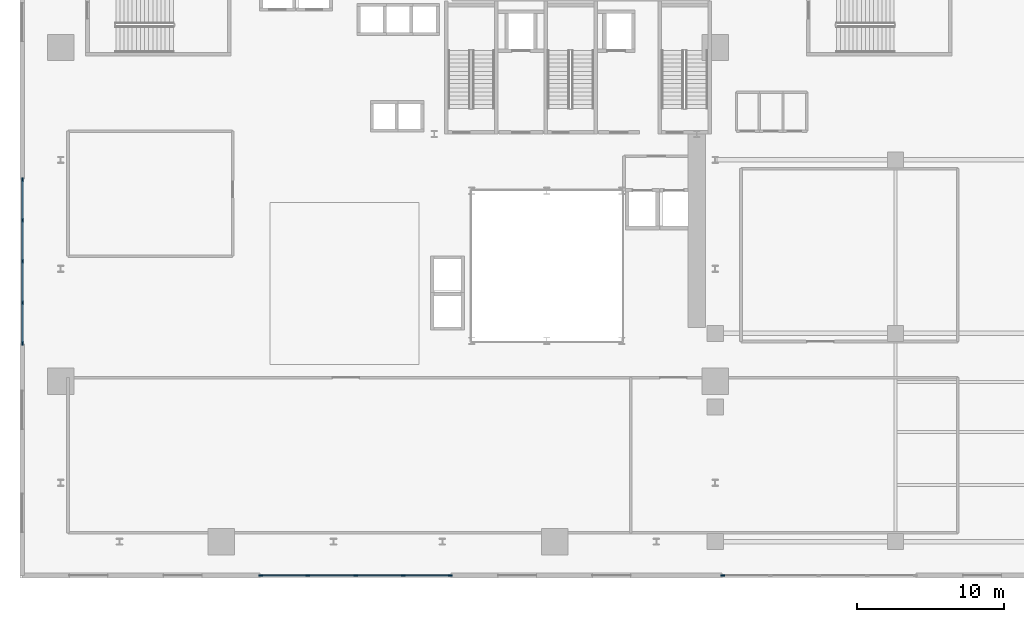
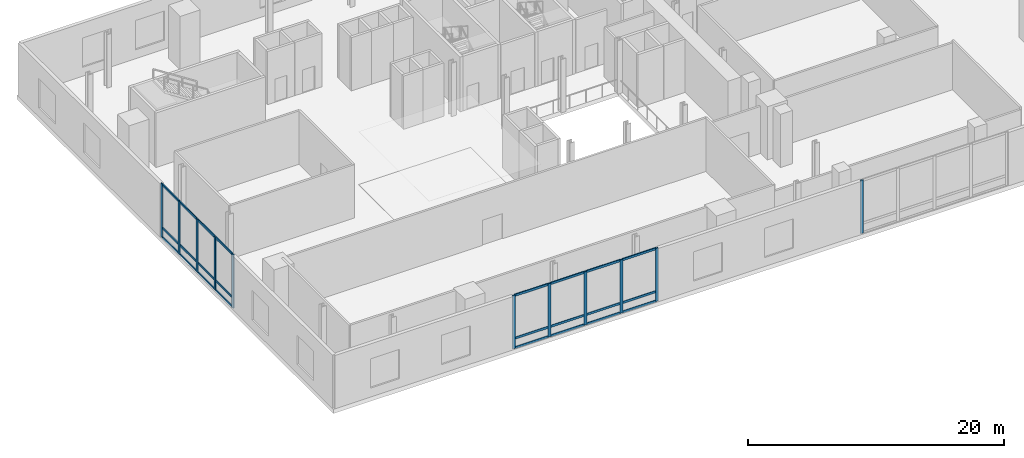
# One storey, part 3 of 12: 35 members, 3 elements without a shape of their own.
"""IFC4 building model written with IfcOpenShell, lengths in metres."""

from ifc_helpers import new_model, si_unit, direction, frame, origin, origin_2d, place, context, subcontext, project, spatial, rectangle, extrude, source, transform, mapped, material, material_profile, profile_set, type_object, element, aggregate, save


model = new_model("IFC4")

# Units and contexts
model_context = context("Model", 3, precision=1e-05, world=origin(), true_north=direction((0.0, 1.0)))
body_context = subcontext(model_context, "Body", "Model", "MODEL_VIEW")
ifc_project = project(units=[si_unit("LENGTHUNIT", "METRE"), si_unit("AREAUNIT", "SQUARE_METRE"), si_unit("VOLUMEUNIT", "CUBIC_METRE"), si_unit("PLANEANGLEUNIT", "RADIAN"), si_unit("MASSUNIT", "GRAM", prefix="KILO")], contexts=[model_context])

# Site, building, storey
site_placement = place(None, origin())
site = spatial("IfcSite", under=ifc_project, at=site_placement, CompositionType="ELEMENT")
building_placement = place(site_placement, origin())
building = spatial("IfcBuilding", under=site, at=building_placement, Name="Vardaveli Station Tower", CompositionType="ELEMENT")
storey_placement = place(building_placement, frame((0.0, 0.0, 17.0)))
storey = spatial("IfcBuildingStorey", under=building, at=storey_placement, Name="L04", CompositionType="ELEMENT", Elevation=17.0)

# Curtain wall, members
ifc_material_1 = material(Name="Travertine stone and solar-control glass", Category="masonry")
curtain_wall_type = type_object("IfcCurtainWallType", Name="CW-SYS-1", PredefinedType="NOTDEFINED", material=ifc_material_1)
curtain_wall_1_placement = place(storey_placement, origin())
curtain_wall_1 = element("IfcCurtainWall", 1, at=curtain_wall_1_placement, inside=storey, type_object=curtain_wall_type, Name="CW-L04-S2", PredefinedType="NOTDEFINED")
ifc_material_2 = material(Name="Anodised aluminium alloy 6063-T6", Category="aluminium")
ifc_material_profile_1 = material_profile(ifc_material_2, rectangle(XDim=0.094970703125, YDim=0.2099609375, at=origin_2d()), Name="CWT 95x210")
ifc_profile_set_1 = profile_set([ifc_material_profile_1], Name="Anodised aluminium alloy 6063-T6")
member_type_1 = type_object("IfcMemberType", Name="CW-SYS-1-TRAN", PredefinedType="NOTDEFINED", material=ifc_profile_set_1)
shared_shape_1 = source(origin(), body_context, "Body", "SweptSolid", [
    extrude(rectangle(XDim=0.094970703125, YDim=0.2099609375, at=origin_2d()), origin(), (0.0, 0.0, 1.0), 3.107421875),
])
member_1_placement = place(storey_placement, frame((16.89501953125, 0.64990234375, 0.047607421875), z_axis=(1.0, 0.0, 0.0), x_axis=(0.0, 1.0, 0.0)))
member_1 = element("IfcMember", 2, at=member_1_placement, type_object=member_type_1, Name="CW-1 transom 1.1", ObjectType="TRANSOM", PredefinedType="USERDEFINED", context=body_context, shape_type="MappedRepresentation", body=[
    mapped(shared_shape_1, transform((0.0, 0.0, 0.0), scale=1.0)),
])
member_2_placement = place(storey_placement, frame((16.89501953125, 0.64990234375, 0.949951171875), z_axis=(1.0, 0.0, 0.0), x_axis=(0.0, 1.0, 0.0)))
member_2 = element("IfcMember", 3, at=member_2_placement, type_object=member_type_1, Name="CW-1 transom 1.2", ObjectType="TRANSOM", PredefinedType="USERDEFINED", context=body_context, shape_type="MappedRepresentation", body=[
    mapped(shared_shape_1, transform((0.0, 0.0, 0.0), scale=1.0)),
])
member_3_placement = place(storey_placement, frame((16.89501953125, 0.64990234375, 5.032470703125), z_axis=(1.0, 0.0, 0.0), x_axis=(0.0, 1.0, 0.0)))
member_3 = element("IfcMember", 4, at=member_3_placement, type_object=member_type_1, Name="CW-1 transom 1.3", ObjectType="TRANSOM", PredefinedType="USERDEFINED", context=body_context, shape_type="MappedRepresentation", body=[
    mapped(shared_shape_1, transform((0.0, 0.0, 0.0), scale=1.0)),
])
shared_shape_2 = source(origin(), body_context, "Body", "SweptSolid", [
    extrude(rectangle(XDim=0.094970703125, YDim=0.2099609375, at=origin_2d()), origin(), (0.0, 0.0, 1.0), 3.155029296875),
])
member_4_placement = place(storey_placement, frame((20.097412109375, 0.64990234375, 0.047607421875), z_axis=(1.0, 0.0, 0.0), x_axis=(0.0, 1.0, 0.0)))
member_4 = element("IfcMember", 5, at=member_4_placement, type_object=member_type_1, Name="CW-1 transom 2.1", ObjectType="TRANSOM", PredefinedType="USERDEFINED", context=body_context, shape_type="MappedRepresentation", body=[
    mapped(shared_shape_2, transform((0.0, 0.0, 0.0), scale=1.0)),
])
member_5_placement = place(storey_placement, frame((20.097412109375, 0.64990234375, 0.949951171875), z_axis=(1.0, 0.0, 0.0), x_axis=(0.0, 1.0, 0.0)))
member_5 = element("IfcMember", 6, at=member_5_placement, type_object=member_type_1, Name="CW-1 transom 2.2", ObjectType="TRANSOM", PredefinedType="USERDEFINED", context=body_context, shape_type="MappedRepresentation", body=[
    mapped(shared_shape_2, transform((0.0, 0.0, 0.0), scale=1.0)),
])
member_6_placement = place(storey_placement, frame((20.097412109375, 0.64990234375, 5.032470703125), z_axis=(1.0, 0.0, 0.0), x_axis=(0.0, 1.0, 0.0)))
member_6 = element("IfcMember", 7, at=member_6_placement, type_object=member_type_1, Name="CW-1 transom 2.3", ObjectType="TRANSOM", PredefinedType="USERDEFINED", context=body_context, shape_type="MappedRepresentation", body=[
    mapped(shared_shape_2, transform((0.0, 0.0, 0.0), scale=1.0)),
])
member_7_placement = place(storey_placement, frame((23.347412109375, 0.64990234375, 0.047607421875), z_axis=(1.0, 0.0, 0.0), x_axis=(0.0, 1.0, 0.0)))
member_7 = element("IfcMember", 8, at=member_7_placement, type_object=member_type_1, Name="CW-1 transom 3.1", ObjectType="TRANSOM", PredefinedType="USERDEFINED", context=body_context, shape_type="MappedRepresentation", body=[
    mapped(shared_shape_2, transform((0.0, 0.0, 0.0), scale=1.0)),
])
member_8_placement = place(storey_placement, frame((23.347412109375, 0.64990234375, 0.949951171875), z_axis=(1.0, 0.0, 0.0), x_axis=(0.0, 1.0, 0.0)))
member_8 = element("IfcMember", 9, at=member_8_placement, type_object=member_type_1, Name="CW-1 transom 3.2", ObjectType="TRANSOM", PredefinedType="USERDEFINED", context=body_context, shape_type="MappedRepresentation", body=[
    mapped(shared_shape_2, transform((0.0, 0.0, 0.0), scale=1.0)),
])
member_9_placement = place(storey_placement, frame((23.347412109375, 0.64990234375, 5.032470703125), z_axis=(1.0, 0.0, 0.0), x_axis=(0.0, 1.0, 0.0)))
member_9 = element("IfcMember", 10, at=member_9_placement, type_object=member_type_1, Name="CW-1 transom 3.3", ObjectType="TRANSOM", PredefinedType="USERDEFINED", context=body_context, shape_type="MappedRepresentation", body=[
    mapped(shared_shape_2, transform((0.0, 0.0, 0.0), scale=1.0)),
])
shared_shape_3 = source(origin(), body_context, "Body", "SweptSolid", [
    extrude(rectangle(XDim=0.094970703125, YDim=0.2099609375, at=origin_2d()), origin(), (0.0, 0.0, 1.0), 3.107666015625),
])
member_10_placement = place(storey_placement, frame((26.597412109375, 0.64990234375, 0.047607421875), z_axis=(1.0, 0.0, 0.0), x_axis=(0.0, 1.0, 0.0)))
member_10 = element("IfcMember", 11, at=member_10_placement, type_object=member_type_1, Name="CW-1 transom 4.1", ObjectType="TRANSOM", PredefinedType="USERDEFINED", context=body_context, shape_type="MappedRepresentation", body=[
    mapped(shared_shape_3, transform((0.0, 0.0, 0.0), scale=1.0)),
])
member_11_placement = place(storey_placement, frame((26.597412109375, 0.64990234375, 0.949951171875), z_axis=(1.0, 0.0, 0.0), x_axis=(0.0, 1.0, 0.0)))
member_11 = element("IfcMember", 12, at=member_11_placement, type_object=member_type_1, Name="CW-1 transom 4.2", ObjectType="TRANSOM", PredefinedType="USERDEFINED", context=body_context, shape_type="MappedRepresentation", body=[
    mapped(shared_shape_3, transform((0.0, 0.0, 0.0), scale=1.0)),
])
member_12_placement = place(storey_placement, frame((26.597412109375, 0.64990234375, 5.032470703125), z_axis=(1.0, 0.0, 0.0), x_axis=(0.0, 1.0, 0.0)))
member_12 = element("IfcMember", 13, at=member_12_placement, type_object=member_type_1, Name="CW-1 transom 4.3", ObjectType="TRANSOM", PredefinedType="USERDEFINED", context=body_context, shape_type="MappedRepresentation", body=[
    mapped(shared_shape_3, transform((0.0, 0.0, 0.0), scale=1.0)),
])

curtain_wall_2_placement = place(storey_placement, origin())
curtain_wall_2 = element("IfcCurtainWall", 14, at=curtain_wall_2_placement, inside=storey, type_object=curtain_wall_type, Name="CW-L04-W2", PredefinedType="NOTDEFINED")
shared_shape_4 = source(origin(), body_context, "Body", "SweptSolid", [
    extrude(rectangle(XDim=0.094970703125, YDim=0.2099609375, at=origin_2d()), origin(), (0.0, 0.0, 1.0), 2.657470703125),
])
member_13_placement = place(storey_placement, frame((0.64990234375, 27.5048828125, 0.047607421875), z_axis=(0.0, -1.0, 0.0), x_axis=(1.0, 0.0, 0.0)))
member_13 = element("IfcMember", 15, at=member_13_placement, type_object=member_type_1, Name="CW-1 transom 1.1", ObjectType="TRANSOM", PredefinedType="USERDEFINED", context=body_context, shape_type="MappedRepresentation", body=[
    mapped(shared_shape_4, transform((0.0, 0.0, 0.0), scale=1.0)),
])
member_14_placement = place(storey_placement, frame((0.64990234375, 27.5048828125, 0.949951171875), z_axis=(0.0, -1.0, 0.0), x_axis=(1.0, 0.0, 0.0)))
member_14 = element("IfcMember", 16, at=member_14_placement, type_object=member_type_1, Name="CW-1 transom 1.2", ObjectType="TRANSOM", PredefinedType="USERDEFINED", context=body_context, shape_type="MappedRepresentation", body=[
    mapped(shared_shape_4, transform((0.0, 0.0, 0.0), scale=1.0)),
])
member_15_placement = place(storey_placement, frame((0.64990234375, 27.5048828125, 5.032470703125), z_axis=(0.0, -1.0, 0.0), x_axis=(1.0, 0.0, 0.0)))
member_15 = element("IfcMember", 17, at=member_15_placement, type_object=member_type_1, Name="CW-1 transom 1.3", ObjectType="TRANSOM", PredefinedType="USERDEFINED", context=body_context, shape_type="MappedRepresentation", body=[
    mapped(shared_shape_4, transform((0.0, 0.0, 0.0), scale=1.0)),
])
member_16_placement = place(storey_placement, frame((0.64990234375, 19.152587890625, 0.047607421875), z_axis=(0.0, -1.0, 0.0), x_axis=(1.0, 0.0, 0.0)))
member_16 = element("IfcMember", 18, at=member_16_placement, type_object=member_type_1, Name="CW-1 transom 4.1", ObjectType="TRANSOM", PredefinedType="USERDEFINED", context=body_context, shape_type="MappedRepresentation", body=[
    mapped(shared_shape_4, transform((0.0, 0.0, 0.0), scale=1.0)),
])
member_17_placement = place(storey_placement, frame((0.64990234375, 19.152587890625, 0.949951171875), z_axis=(0.0, -1.0, 0.0), x_axis=(1.0, 0.0, 0.0)))
member_17 = element("IfcMember", 19, at=member_17_placement, type_object=member_type_1, Name="CW-1 transom 4.2", ObjectType="TRANSOM", PredefinedType="USERDEFINED", context=body_context, shape_type="MappedRepresentation", body=[
    mapped(shared_shape_4, transform((0.0, 0.0, 0.0), scale=1.0)),
])
member_18_placement = place(storey_placement, frame((0.64990234375, 19.152587890625, 5.032470703125), z_axis=(0.0, -1.0, 0.0), x_axis=(1.0, 0.0, 0.0)))
member_18 = element("IfcMember", 20, at=member_18_placement, type_object=member_type_1, Name="CW-1 transom 4.3", ObjectType="TRANSOM", PredefinedType="USERDEFINED", context=body_context, shape_type="MappedRepresentation", body=[
    mapped(shared_shape_4, transform((0.0, 0.0, 0.0), scale=1.0)),
])
shared_shape_5 = source(origin(), body_context, "Body", "SweptSolid", [
    extrude(rectangle(XDim=0.094970703125, YDim=0.2099609375, at=origin_2d()), origin(), (0.0, 0.0, 1.0), 2.704833984375),
])
member_19_placement = place(storey_placement, frame((0.64990234375, 24.75244140625, 0.047607421875), z_axis=(0.0, -1.0, 0.0), x_axis=(1.0, 0.0, 0.0)))
member_19 = element("IfcMember", 21, at=member_19_placement, type_object=member_type_1, Name="CW-1 transom 2.1", ObjectType="TRANSOM", PredefinedType="USERDEFINED", context=body_context, shape_type="MappedRepresentation", body=[
    mapped(shared_shape_5, transform((0.0, 0.0, 0.0), scale=1.0)),
])
member_20_placement = place(storey_placement, frame((0.64990234375, 24.75244140625, 0.949951171875), z_axis=(0.0, -1.0, 0.0), x_axis=(1.0, 0.0, 0.0)))
member_20 = element("IfcMember", 22, at=member_20_placement, type_object=member_type_1, Name="CW-1 transom 2.2", ObjectType="TRANSOM", PredefinedType="USERDEFINED", context=body_context, shape_type="MappedRepresentation", body=[
    mapped(shared_shape_5, transform((0.0, 0.0, 0.0), scale=1.0)),
])
member_21_placement = place(storey_placement, frame((0.64990234375, 24.75244140625, 5.032470703125), z_axis=(0.0, -1.0, 0.0), x_axis=(1.0, 0.0, 0.0)))
member_21 = element("IfcMember", 23, at=member_21_placement, type_object=member_type_1, Name="CW-1 transom 2.3", ObjectType="TRANSOM", PredefinedType="USERDEFINED", context=body_context, shape_type="MappedRepresentation", body=[
    mapped(shared_shape_5, transform((0.0, 0.0, 0.0), scale=1.0)),
])
member_22_placement = place(storey_placement, frame((0.64990234375, 21.952392578125, 0.047607421875), z_axis=(0.0, -1.0, 0.0), x_axis=(1.0, 0.0, 0.0)))
member_22 = element("IfcMember", 24, at=member_22_placement, type_object=member_type_1, Name="CW-1 transom 3.1", ObjectType="TRANSOM", PredefinedType="USERDEFINED", context=body_context, shape_type="MappedRepresentation", body=[
    mapped(shared_shape_5, transform((0.0, 0.0, 0.0), scale=1.0)),
])
member_23_placement = place(storey_placement, frame((0.64990234375, 21.952392578125, 0.949951171875), z_axis=(0.0, -1.0, 0.0), x_axis=(1.0, 0.0, 0.0)))
member_23 = element("IfcMember", 25, at=member_23_placement, type_object=member_type_1, Name="CW-1 transom 3.2", ObjectType="TRANSOM", PredefinedType="USERDEFINED", context=body_context, shape_type="MappedRepresentation", body=[
    mapped(shared_shape_5, transform((0.0, 0.0, 0.0), scale=1.0)),
])
member_24_placement = place(storey_placement, frame((0.64990234375, 21.952392578125, 5.032470703125), z_axis=(0.0, -1.0, 0.0), x_axis=(1.0, 0.0, 0.0)))
member_24 = element("IfcMember", 26, at=member_24_placement, type_object=member_type_1, Name="CW-1 transom 3.3", ObjectType="TRANSOM", PredefinedType="USERDEFINED", context=body_context, shape_type="MappedRepresentation", body=[
    mapped(shared_shape_5, transform((0.0, 0.0, 0.0), scale=1.0)),
])

# Member
ifc_material_profile_2 = material_profile(ifc_material_2, rectangle(XDim=0.094970703125, YDim=0.27001953125, at=origin_2d()), Name="CWM 95x270")
ifc_profile_set_2 = profile_set([ifc_material_profile_2], Name="Anodised aluminium alloy 6063-T6")
member_type_2 = type_object("IfcMemberType", Name="CW-SYS-1-MULL", PredefinedType="MULLION", material=ifc_profile_set_2)
shared_shape_6 = source(origin(), body_context, "Body", "SweptSolid", [
    extrude(rectangle(XDim=0.094970703125, YDim=0.27001953125, at=origin_2d()), origin(), (0.0, 0.0, 1.0), 5.080078125),
])
member_25_placement = place(storey_placement, frame((16.847412109375, 0.64990234375, 0.0), z_axis=(0.0, 0.0, 1.0), x_axis=(0.0, 1.0, 0.0)))
member_25 = element("IfcMember", 27, at=member_25_placement, type_object=member_type_2, Name="CW-1 mullion 1", PredefinedType="MULLION", context=body_context, shape_type="MappedRepresentation", body=[
    mapped(shared_shape_6, transform((0.0, 0.0, 0.0), scale=1.0)),
])

member_26_placement = place(storey_placement, frame((20.050048828125, 0.64990234375, 0.0), z_axis=(0.0, 0.0, 1.0), x_axis=(0.0, 1.0, 0.0)))
member_26 = element("IfcMember", 28, at=member_26_placement, type_object=member_type_2, Name="CW-1 mullion 2", PredefinedType="MULLION", context=body_context, shape_type="MappedRepresentation", body=[
    mapped(shared_shape_6, transform((0.0, 0.0, 0.0), scale=1.0)),
])

member_27_placement = place(storey_placement, frame((23.300048828125, 0.64990234375, 0.0), z_axis=(0.0, 0.0, 1.0), x_axis=(0.0, 1.0, 0.0)))
member_27 = element("IfcMember", 29, at=member_27_placement, type_object=member_type_2, Name="CW-1 mullion 3", PredefinedType="MULLION", context=body_context, shape_type="MappedRepresentation", body=[
    mapped(shared_shape_6, transform((0.0, 0.0, 0.0), scale=1.0)),
])

member_28_placement = place(storey_placement, frame((26.550048828125, 0.64990234375, 0.0), z_axis=(0.0, 0.0, 1.0), x_axis=(0.0, 1.0, 0.0)))
member_28 = element("IfcMember", 30, at=member_28_placement, type_object=member_type_2, Name="CW-1 mullion 4", PredefinedType="MULLION", context=body_context, shape_type="MappedRepresentation", body=[
    mapped(shared_shape_6, transform((0.0, 0.0, 0.0), scale=1.0)),
])

member_29_placement = place(storey_placement, frame((29.75244140625, 0.64990234375, 0.0), z_axis=(0.0, 0.0, 1.0), x_axis=(0.0, 1.0, 0.0)))
member_29 = element("IfcMember", 31, at=member_29_placement, type_object=member_type_2, Name="CW-1 mullion 5", PredefinedType="MULLION", context=body_context, shape_type="MappedRepresentation", body=[
    mapped(shared_shape_6, transform((0.0, 0.0, 0.0), scale=1.0)),
])

aggregate(curtain_wall_1, [member_25, member_26, member_27, member_28, member_29, member_1, member_2, member_3, member_4, member_5, member_6, member_7, member_8, member_9, member_10, member_11, member_12])

# Curtain wall, member
curtain_wall_3_placement = place(storey_placement, origin())
curtain_wall_3 = element("IfcCurtainWall", 32, at=curtain_wall_3_placement, inside=storey, type_object=curtain_wall_type, Name="CW-L04-S4", PredefinedType="NOTDEFINED")
member_30_placement = place(storey_placement, frame((48.24755859375, 0.64990234375, 0.0), z_axis=(0.0, 0.0, 1.0), x_axis=(0.0, 1.0, 0.0)))
member_30 = element("IfcMember", 33, at=member_30_placement, type_object=member_type_2, Name="CW-1 mullion 1", PredefinedType="MULLION", context=body_context, shape_type="MappedRepresentation", body=[
    mapped(shared_shape_6, transform((0.0, 0.0, 0.0), scale=1.0)),
])
aggregate(curtain_wall_3, [member_30])

# Member
member_31_placement = place(storey_placement, frame((0.64990234375, 27.552490234375, 0.0), z_axis=(0.0, 0.0, 1.0), x_axis=(1.0, 0.0, 0.0)))
member_31 = element("IfcMember", 34, at=member_31_placement, type_object=member_type_2, Name="CW-1 mullion 1", PredefinedType="MULLION", context=body_context, shape_type="MappedRepresentation", body=[
    mapped(shared_shape_6, transform((0.0, 0.0, 0.0), scale=1.0)),
])

member_32_placement = place(storey_placement, frame((0.64990234375, 24.800048828125, 0.0), z_axis=(0.0, 0.0, 1.0), x_axis=(1.0, 0.0, 0.0)))
member_32 = element("IfcMember", 35, at=member_32_placement, type_object=member_type_2, Name="CW-1 mullion 2", PredefinedType="MULLION", context=body_context, shape_type="MappedRepresentation", body=[
    mapped(shared_shape_6, transform((0.0, 0.0, 0.0), scale=1.0)),
])

member_33_placement = place(storey_placement, frame((0.64990234375, 22.0, 0.0), z_axis=(0.0, 0.0, 1.0), x_axis=(1.0, 0.0, 0.0)))
member_33 = element("IfcMember", 36, at=member_33_placement, type_object=member_type_2, Name="CW-1 mullion 3", PredefinedType="MULLION", context=body_context, shape_type="MappedRepresentation", body=[
    mapped(shared_shape_6, transform((0.0, 0.0, 0.0), scale=1.0)),
])

member_34_placement = place(storey_placement, frame((0.64990234375, 19.199951171875, 0.0), z_axis=(0.0, 0.0, 1.0), x_axis=(1.0, 0.0, 0.0)))
member_34 = element("IfcMember", 37, at=member_34_placement, type_object=member_type_2, Name="CW-1 mullion 4", PredefinedType="MULLION", context=body_context, shape_type="MappedRepresentation", body=[
    mapped(shared_shape_6, transform((0.0, 0.0, 0.0), scale=1.0)),
])

member_35_placement = place(storey_placement, frame((0.64990234375, 16.447509765625, 0.0), z_axis=(0.0, 0.0, 1.0), x_axis=(1.0, 0.0, 0.0)))
member_35 = element("IfcMember", 38, at=member_35_placement, type_object=member_type_2, Name="CW-1 mullion 5", PredefinedType="MULLION", context=body_context, shape_type="MappedRepresentation", body=[
    mapped(shared_shape_6, transform((0.0, 0.0, 0.0), scale=1.0)),
])

aggregate(curtain_wall_2, [member_31, member_32, member_33, member_34, member_35, member_13, member_14, member_15, member_19, member_20, member_21, member_22, member_23, member_24, member_16, member_17, member_18])

save(model, "model.ifc")
